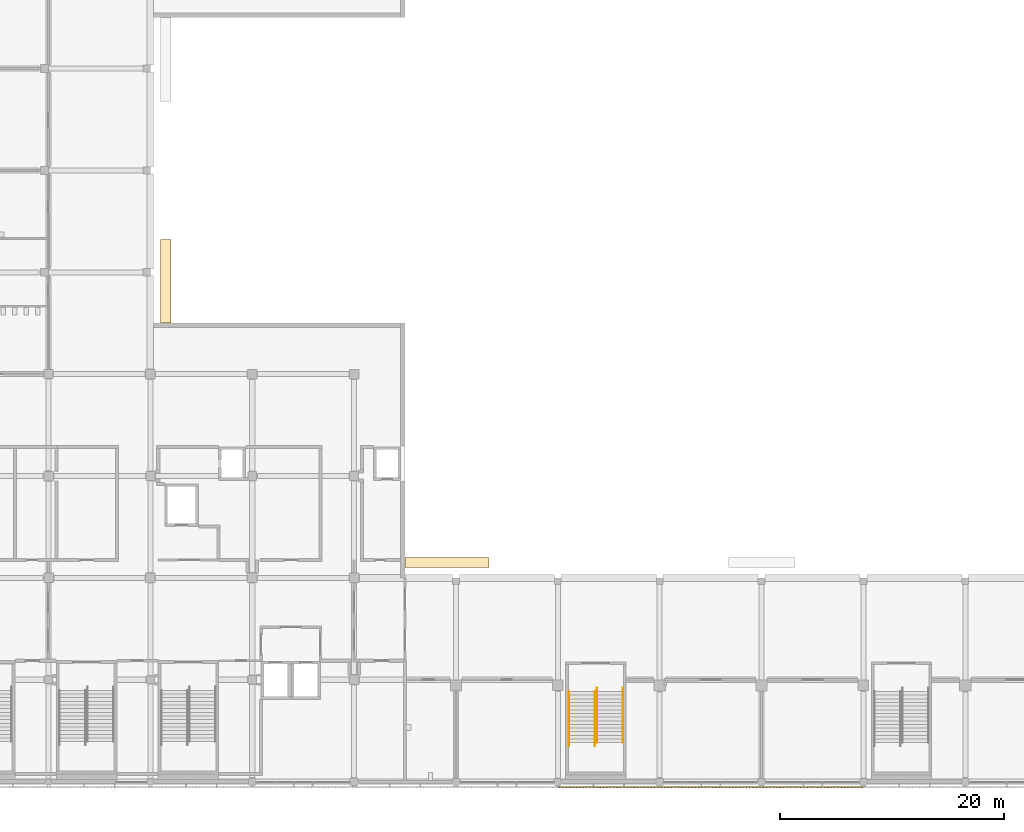
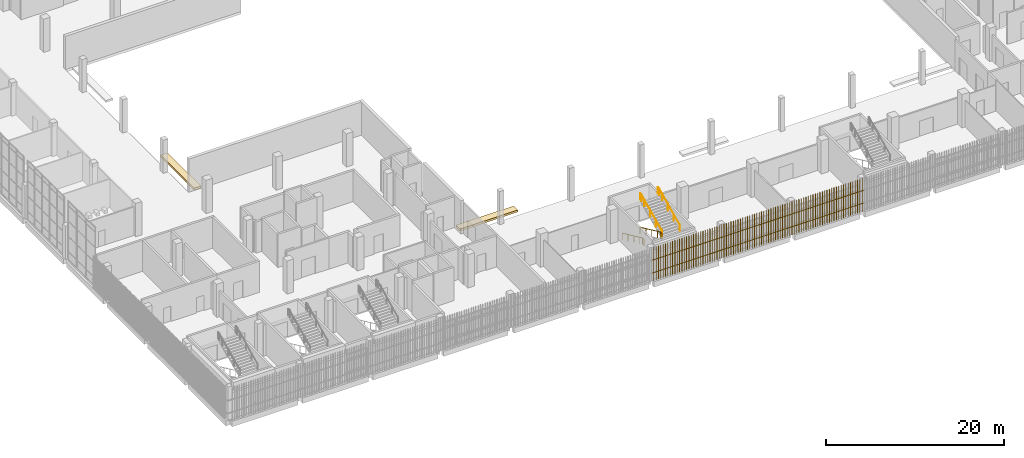
# One storey, part 110 of 126: 4 railings, 3 shading devices, 2 coverings.
"""IFC4 building model written with IfcOpenShell, lengths in metres."""

import ifcopenshell
import ifcopenshell.guid

model = None  # the IFC model being written
_history = None  # IfcOwnerHistory: only IFC2X3 demands one
_inside = {}  # id of a spatial element -> (the spatial element, [elements in it])
_under = {}  # id of a project, library or spatial element -> (it, [spatial elements below it])
_declared = {}  # id of a project -> (the project, [libraries it declares])
_typed = {}  # id of a type object -> (the type object, [elements of that type])
_made_of = {}  # id of a material, layer set ... -> (it, [elements and type objects made of it])


def new_model(schema):
    """Start an empty IFC model of exactly this schema.

    Asked for "IFC4X3", IfcOpenShell would pick the latest addendum, in which some entities
    have other attributes; the version numbers below select the first issue.
    IFC2X3 requires an IfcOwnerHistory on every rooted entity: one is made here for all.
    """
    global model, _history
    if schema == "IFC4X3":
        model = ifcopenshell.file(schema_version=(4, 3, 0, 0))
    else:
        model = ifcopenshell.file(schema=schema)
    _inside.clear()
    _under.clear()
    _declared.clear()
    _typed.clear()
    _made_of.clear()
    _history = None
    if model.schema == "IFC2X3":
        org = make("IfcOrganization", Name="unknown")
        user = make(
            "IfcPersonAndOrganization",
            ThePerson=make("IfcPerson", FamilyName="unknown"),
            TheOrganization=org,
        )
        app = make(
            "IfcApplication",
            ApplicationDeveloper=org,
            Version="unknown",
            ApplicationFullName="unknown",
            ApplicationIdentifier="unknown",
        )
        _history = make(
            "IfcOwnerHistory",
            OwningUser=user,
            OwningApplication=app,
            ChangeAction="ADDED",
            CreationDate=0,
        )
    return model


def make(cls, **values):
    """One entity of the class cls with the attributes given. An attribute that is None is left unset."""
    return model.create_entity(
        cls, **{name: value for name, value in values.items() if value is not None}
    )


def rooted(cls, **values):
    """An entity with a GlobalId (a new one), such as an element, a storey or a relation."""
    return make(cls, GlobalId=ifcopenshell.guid.new(), OwnerHistory=_history, **values)


def si_unit(unit_type, name, prefix=None):
    """IfcSIUnit, for example si_unit("LENGTHUNIT", "METRE", prefix="MILLI")."""
    return make("IfcSIUnit", UnitType=unit_type, Prefix=prefix, Name=name)


def assignment(units):
    """IfcUnitAssignment: the units of a project."""
    return None if units is None else make("IfcUnitAssignment", Units=units)


def point(xyz):
    """IfcCartesianPoint."""
    return None if xyz is None else make("IfcCartesianPoint", Coordinates=xyz)


def direction(xyz):
    """IfcDirection."""
    return None if xyz is None else make("IfcDirection", DirectionRatios=xyz)


def frame(location, z_axis=None, x_axis=None):
    """IfcAxis2Placement3D, a coordinate frame: its origin and axes. An axis left out is left unset."""
    return make(
        "IfcAxis2Placement3D",
        Location=point(location),
        Axis=direction(z_axis),
        RefDirection=direction(x_axis),
    )


def frame_2d(location, x_axis=None):
    """IfcAxis2Placement2D, a coordinate frame in the plane: its origin and x axis."""
    return make(
        "IfcAxis2Placement2D", Location=point(location), RefDirection=direction(x_axis)
    )


def origin():
    """The frame at (0, 0, 0) with its axes left unset."""
    return frame((0.0, 0.0, 0.0))


def origin_2d():
    """The frame at (0, 0) in the plane with its x axis left unset."""
    return frame_2d((0.0, 0.0))


def place(relative_to, where):
    """IfcLocalPlacement: puts the frame where relative to a parent placement (None: the world)."""
    return make(
        "IfcLocalPlacement", PlacementRelTo=relative_to, RelativePlacement=where
    )


def context(
    kind, dimensions, precision=None, world=None, true_north=None, identifier=None
):
    """IfcGeometricRepresentationContext, for example the 3D "Model" context."""
    return make(
        "IfcGeometricRepresentationContext",
        ContextIdentifier=identifier,
        ContextType=kind,
        CoordinateSpaceDimension=dimensions,
        Precision=precision,
        WorldCoordinateSystem=world,
        TrueNorth=true_north,
    )


def subcontext(parent, identifier, kind, view, scale=None):
    """IfcGeometricRepresentationSubContext, for example "Body" below "Model"."""
    return make(
        "IfcGeometricRepresentationSubContext",
        ContextIdentifier=identifier,
        ContextType=kind,
        ParentContext=parent,
        TargetScale=scale,
        TargetView=view,
    )


def project(units=None, contexts=None):
    """IfcProject with its units and contexts."""
    return rooted(
        "IfcProject",
        Name="project",
        RepresentationContexts=contexts,
        UnitsInContext=assignment(units),
    )


def spatial(cls, under=None, at=None, **own):
    """A site, building, storey or space (cls), placed at a placement, below another one or the project."""
    s = rooted(cls, ObjectPlacement=at, **own)
    if under is not None:
        _under.setdefault(under.id(), (under, []))[1].append(s)
    return s


def polyline(points):
    """IfcPolyline through the points."""
    return make("IfcPolyline", Points=[point(p) for p in points])


def profile(cls, at=None, kind="AREA", **sizes):
    """A parametric profile (cls). Its sizes go by their IFC names, for example OverallWidth=200.0."""
    return make(cls, ProfileType=kind, Position=at, **sizes)


def rectangle(**sizes):
    """IfcRectangleProfileDef."""
    return profile("IfcRectangleProfileDef", **sizes)


def circle(**sizes):
    """IfcCircleProfileDef."""
    return profile("IfcCircleProfileDef", **sizes)


def outline(outer, holes=None, kind="AREA"):
    """IfcArbitraryClosedProfileDef: a profile drawn as a closed curve; with holes, ...WithVoids."""
    if holes is None:
        return make("IfcArbitraryClosedProfileDef", ProfileType=kind, OuterCurve=outer)
    return make(
        "IfcArbitraryProfileDefWithVoids",
        ProfileType=kind,
        OuterCurve=outer,
        InnerCurves=holes,
    )


def extrude(swept, where, along, depth):
    """IfcExtrudedAreaSolid: the profile swept, set in the frame where, extruded along a direction by depth."""
    return make(
        "IfcExtrudedAreaSolid",
        SweptArea=swept,
        Position=where,
        ExtrudedDirection=direction(along),
        Depth=depth,
    )


def shape(context_of_items, identifier, shape_type, items):
    """IfcShapeRepresentation: the items that make up one representation, for example the "Body"."""
    return make(
        "IfcShapeRepresentation",
        ContextOfItems=context_of_items,
        RepresentationIdentifier=identifier,
        RepresentationType=shape_type,
        Items=items,
    )


def material(Name=None, Category=None):
    """IfcMaterial."""
    return make("IfcMaterial", Name=Name, Category=Category)


def layer(
    of_material, thickness, ventilated=None, Name=None, Category=None, Priority=None
):
    """IfcMaterialLayer: one layer of a wall or slab, of a material (None: an air gap)."""
    return make(
        "IfcMaterialLayer",
        Material=of_material,
        LayerThickness=thickness,
        IsVentilated=ventilated,
        Name=Name,
        Category=Category,
        Priority=Priority,
    )


def layer_set(layers, Name=None):
    """IfcMaterialLayerSet."""
    return make("IfcMaterialLayerSet", MaterialLayers=layers, LayerSetName=Name)


def made_of(thing, what):
    """Note that an element or type object is made of a material, layer set ...; save() writes the relation."""
    if what is not None:
        _made_of.setdefault(what.id(), (what, []))[1].append(thing)
    return thing


def type_object(cls, material=None, **own):
    """A type object (cls), such as IfcWallType, which elements share."""
    return made_of(rooted(cls, **own), material)


def element(
    cls,
    number,
    at=None,
    inside=None,
    cuts=None,
    type_object=None,
    material=None,
    context=None,
    identifier="Body",
    shape_type=None,
    held_by="IfcProductDefinitionShape",
    body=None,
    shapes=None,
    **own,
):
    """One element of the class cls, such as IfcWall. Its Tag is "e" and its number.

    at: its placement. inside: the storey or other place that contains it. cuts: it is an
    opening in that element (IfcRelVoidsElement). A single representation is given by context,
    identifier, shape_type and body (its items); several are given by shapes. held_by: the class
    of the entity that holds the representations. save() writes the other relations.
    """
    e = rooted(cls, Tag="e%d" % number, ObjectPlacement=at, **own)
    if body is not None:
        shapes = [shape(context, identifier, shape_type, body)]
    if shapes is not None:
        e.Representation = make(held_by, Representations=shapes)
    if inside is not None:
        _inside.setdefault(inside.id(), (inside, []))[1].append(e)
    if cuts is not None:
        rooted(
            "IfcRelVoidsElement", RelatingBuildingElement=cuts, RelatedOpeningElement=e
        )
    if type_object is not None:
        _typed.setdefault(type_object.id(), (type_object, []))[1].append(e)
    return made_of(e, material)


def aggregate(whole, parts):
    """IfcRelAggregates: a whole, such as a stair, and the parts it consists of."""
    return rooted("IfcRelAggregates", RelatingObject=whole, RelatedObjects=parts)


def save(model, path):
    """Write the relations noted so far, then the file.

    IfcRelAggregates (storeys below a building ...), IfcRelContainedInSpatialStructure (elements
    in a storey), IfcRelDefinesByType, IfcRelAssociatesMaterial and IfcRelDeclares: one each for
    every whole, place, type object, material and project.
    """
    for whole, parts in _under.values():
        aggregate(whole, parts)
    for where, things in _inside.values():
        rooted(
            "IfcRelContainedInSpatialStructure",
            RelatedElements=things,
            RelatingStructure=where,
        )
    for kind, things in _typed.values():
        rooted("IfcRelDefinesByType", RelatedObjects=things, RelatingType=kind)
    for what, things in _made_of.values():
        rooted("IfcRelAssociatesMaterial", RelatedObjects=things, RelatingMaterial=what)
    for by, libraries in _declared.values():
        rooted("IfcRelDeclares", RelatingContext=by, RelatedDefinitions=libraries)
    model.write(path)


model = new_model("IFC4")

# Units and contexts
model_context = context("Model", 3, precision=1e-05, world=origin(), true_north=direction((0.0, 1.0)))
body_context = subcontext(model_context, "Body", "Model", "MODEL_VIEW")
ifc_project = project(units=[si_unit("LENGTHUNIT", "METRE"), si_unit("AREAUNIT", "SQUARE_METRE"), si_unit("VOLUMEUNIT", "CUBIC_METRE"), si_unit("PLANEANGLEUNIT", "RADIAN"), si_unit("MASSUNIT", "GRAM", prefix="KILO")], contexts=[model_context])

# Site, building, storey
site_placement = place(None, origin())
site = spatial("IfcSite", under=ifc_project, at=site_placement, CompositionType="ELEMENT")
building_placement = place(site_placement, origin())
building = spatial("IfcBuilding", under=site, at=building_placement, Name="Shirokan Park Arena", CompositionType="ELEMENT")
storey_placement = place(building_placement, frame((0.0, 0.0, 6.3701171875)))
storey = spatial("IfcBuildingStorey", under=building, at=storey_placement, Name="L01", CompositionType="ELEMENT", Elevation=6.3701171875)

# Coverings
ifc_material_1 = material(Name="Concrete screed on the tier", Category="concrete")
ifc_layer = layer(ifc_material_1, 0.280029296875)
ifc_layer_set = layer_set([ifc_layer], Name="Concrete screed on the tier 280 mm")
covering_type = type_object("IfcCoveringType", Name="Platform floor infill 280", PredefinedType="FLOORING", material=ifc_layer_set)
covering_1_placement = place(storey_placement, frame((0.0, 0.0, -0.280029296875)))
element("IfcCovering", 1, at=covering_1_placement, inside=storey, type_object=covering_type, Name="Wheelchair Platform Floor S1 Lower Tier", PredefinedType="FLOORING", context=body_context, shape_type="SweptSolid", body=[
    extrude(outline(polyline([(48.449951171875, 19.110107421875), (48.449951171875, 20.02001953125), (40.949951171875, 20.02001953125), (40.949951171875, 19.110107421875), (48.449951171875, 19.110107421875)])), origin(), (0.0, 0.0, 1.0), 0.280029296875),
])
covering_2_placement = place(storey_placement, frame((0.0, 0.0, -0.280029296875)))
element("IfcCovering", 2, at=covering_2_placement, inside=storey, type_object=covering_type, Name="Wheelchair Platform Floor W1 Lower Tier", PredefinedType="FLOORING", context=body_context, shape_type="SweptSolid", body=[
    extrude(outline(polyline([(20.02001953125, 40.949951171875), (20.02001953125, 48.449951171875), (19.110107421875, 48.449951171875), (19.110107421875, 40.949951171875), (20.02001953125, 40.949951171875)])), origin(), (0.0, 0.0, 1.0), 0.280029296875),
])

# Railings
ifc_material_2 = material(Name="Stainless steel", Category="steel")
railing_type = type_object("IfcRailingType", Name="Stair handrail 900", PredefinedType="HANDRAIL", material=ifc_material_2)
railing_1_placement = place(storey_placement, frame((55.590087890625, 8.050048828125, 0.151611328125)))
element("IfcRailing", 3, at=railing_1_placement, inside=storey, type_object=railing_type, Name="Handrail Entrance Stair E1.1 L01 to L02", PredefinedType="HANDRAIL", context=body_context, shape_type="SweptSolid", body=[
    extrude(circle(Radius=0.02392578125, at=origin_2d()), frame((0.0, 0.0, 0.8759765625), z_axis=(0.0, -0.907029769225, 0.421066500378), x_axis=(1.0, 0.0, 0.0)), (0.0, 0.0, 1.0), 1.44091796875),
    extrude(circle(Radius=0.02392578125, at=origin_2d()), frame((0.0, -1.306884765625, 1.482421875), z_axis=(0.0, -0.907029769225, 0.421066500378), x_axis=(1.0, 0.0, 0.0)), (0.0, 0.0, 1.0), 1.44091796875),
    extrude(circle(Radius=0.02392578125, at=origin_2d()), frame((0.0, -2.61376953125, 2.08935546875), z_axis=(0.0, -0.907064445915, 0.420991794405), x_axis=(1.0, 0.0, 0.0)), (0.0, 0.0, 1.0), 1.4404296875),
    extrude(circle(Radius=0.02392578125, at=origin_2d()), frame((0.0, -3.92041015625, 2.69580078125), z_axis=(0.0, -0.906934982928, 0.421270621741), x_axis=(1.0, 0.0, 0.0)), (0.0, 0.0, 1.0), 0.720458984375),
    extrude(circle(Radius=0.02392578125, at=origin_2d()), frame((0.0, -4.57373046875, 2.9990234375), z_axis=(0.0, -1.0, 0.0), x_axis=(1.0, 0.0, 0.0)), (0.0, 0.0, 1.0), 0.300048828125),
    extrude(circle(Radius=0.02099609375, at=origin_2d()), origin(), (0.0, 0.0, 1.0), 0.851806640625),
    extrude(circle(Radius=0.02099609375, at=origin_2d()), frame((0.0, -1.306884765625, 0.606689453125)), (0.0, 0.0, 1.0), 0.851806640625),
    extrude(circle(Radius=0.02099609375, at=origin_2d()), frame((0.0, -2.61376953125, 1.21337890625)), (0.0, 0.0, 1.0), 0.851806640625),
    extrude(circle(Radius=0.02099609375, at=origin_2d()), frame((0.0, -3.92041015625, 1.81982421875)), (0.0, 0.0, 1.0), 0.851806640625),
    extrude(circle(Radius=0.02099609375, at=origin_2d()), frame((0.0, -4.57373046875, 2.123291015625)), (0.0, 0.0, 1.0), 0.851806640625),
    extrude(circle(Radius=0.02099609375, at=origin_2d()), frame((0.0, -4.873779296875, 2.123291015625)), (0.0, 0.0, 1.0), 0.851806640625),
])
railing_2_placement = place(storey_placement, frame((57.909912109375, 8.050048828125, 0.151611328125)))
element("IfcRailing", 4, at=railing_2_placement, inside=storey, type_object=railing_type, Name="Handrail Entrance Stair E1.1 L01 to L02", PredefinedType="HANDRAIL", context=body_context, shape_type="SweptSolid", body=[
    extrude(circle(Radius=0.02392578125, at=origin_2d()), frame((0.0, 0.0, 0.8759765625), z_axis=(0.0, -0.907029769225, 0.421066500378), x_axis=(1.0, 0.0, 0.0)), (0.0, 0.0, 1.0), 1.44091796875),
    extrude(circle(Radius=0.02392578125, at=origin_2d()), frame((0.0, -1.306884765625, 1.482421875), z_axis=(0.0, -0.907029769225, 0.421066500378), x_axis=(1.0, 0.0, 0.0)), (0.0, 0.0, 1.0), 1.44091796875),
    extrude(circle(Radius=0.02392578125, at=origin_2d()), frame((0.0, -2.61376953125, 2.08935546875), z_axis=(0.0, -0.907064445915, 0.420991794405), x_axis=(1.0, 0.0, 0.0)), (0.0, 0.0, 1.0), 1.4404296875),
    extrude(circle(Radius=0.02392578125, at=origin_2d()), frame((0.0, -3.92041015625, 2.69580078125), z_axis=(0.0, -0.906934982928, 0.421270621741), x_axis=(1.0, 0.0, 0.0)), (0.0, 0.0, 1.0), 0.720458984375),
    extrude(circle(Radius=0.02392578125, at=origin_2d()), frame((0.0, -4.57373046875, 2.9990234375), z_axis=(0.0, -1.0, 0.0), x_axis=(1.0, 0.0, 0.0)), (0.0, 0.0, 1.0), 0.300048828125),
    extrude(circle(Radius=0.02099609375, at=origin_2d()), origin(), (0.0, 0.0, 1.0), 0.851806640625),
    extrude(circle(Radius=0.02099609375, at=origin_2d()), frame((0.0, -1.306884765625, 0.606689453125)), (0.0, 0.0, 1.0), 0.851806640625),
    extrude(circle(Radius=0.02099609375, at=origin_2d()), frame((0.0, -2.61376953125, 1.21337890625)), (0.0, 0.0, 1.0), 0.851806640625),
    extrude(circle(Radius=0.02099609375, at=origin_2d()), frame((0.0, -3.92041015625, 1.81982421875)), (0.0, 0.0, 1.0), 0.851806640625),
    extrude(circle(Radius=0.02099609375, at=origin_2d()), frame((0.0, -4.57373046875, 2.123291015625)), (0.0, 0.0, 1.0), 0.851806640625),
    extrude(circle(Radius=0.02099609375, at=origin_2d()), frame((0.0, -4.873779296875, 2.123291015625)), (0.0, 0.0, 1.0), 0.851806640625),
])
railing_3_placement = place(storey_placement, frame((58.090087890625, 3.476318359375, 2.426513671875)))
element("IfcRailing", 5, at=railing_3_placement, inside=storey, type_object=railing_type, Name="Handrail Entrance Stair E1.1 L01 to L02", PredefinedType="HANDRAIL", context=body_context, shape_type="SweptSolid", body=[
    extrude(circle(Radius=0.02392578125, at=origin_2d()), frame((0.0, 0.0, 0.8759765625), z_axis=(0.0, 0.906999720516, 0.421131222998), x_axis=(-1.0, 0.0, 0.0)), (0.0, 0.0, 1.0), 1.440673828125),
    extrude(circle(Radius=0.02392578125, at=origin_2d()), frame((0.0, 1.306640625, 1.482421875), z_axis=(0.0, 0.907029769225, 0.421066500378), x_axis=(-1.0, 0.0, 0.0)), (0.0, 0.0, 1.0), 1.44091796875),
    extrude(circle(Radius=0.02392578125, at=origin_2d()), frame((0.0, 2.613525390625, 2.08935546875), z_axis=(0.0, 0.906999720516, 0.421131222998), x_axis=(-1.0, 0.0, 0.0)), (0.0, 0.0, 1.0), 1.440673828125),
    extrude(circle(Radius=0.02392578125, at=origin_2d()), frame((0.0, 3.920166015625, 2.69580078125), z_axis=(0.0, 0.907124493983, 0.420862391306), x_axis=(-1.0, 0.0, 0.0)), (0.0, 0.0, 1.0), 0.720458984375),
    extrude(circle(Radius=0.02392578125, at=origin_2d()), frame((0.0, 4.57373046875, 2.9990234375), z_axis=(0.0, 1.0, 0.0), x_axis=(-1.0, 0.0, 0.0)), (0.0, 0.0, 1.0), 0.300048828125),
    extrude(circle(Radius=0.02099609375, at=origin_2d()), origin(), (0.0, 0.0, 1.0), 0.851806640625),
    extrude(circle(Radius=0.02099609375, at=origin_2d()), frame((0.0, 1.306640625, 0.606689453125)), (0.0, 0.0, 1.0), 0.851806640625),
    extrude(circle(Radius=0.02099609375, at=origin_2d()), frame((0.0, 2.613525390625, 1.21337890625)), (0.0, 0.0, 1.0), 0.851806640625),
    extrude(circle(Radius=0.02099609375, at=origin_2d()), frame((0.0, 3.920166015625, 1.820068359375)), (0.0, 0.0, 1.0), 0.851806640625),
    extrude(circle(Radius=0.02099609375, at=origin_2d()), frame((0.0, 4.57373046875, 2.123291015625)), (0.0, 0.0, 1.0), 0.851806640625),
    extrude(circle(Radius=0.02099609375, at=origin_2d()), frame((0.0, 4.873779296875, 2.123291015625)), (0.0, 0.0, 1.0), 0.851806640625),
])
railing_4_placement = place(storey_placement, frame((60.409912109375, 3.476318359375, 2.426513671875)))
element("IfcRailing", 6, at=railing_4_placement, inside=storey, type_object=railing_type, Name="Handrail Entrance Stair E1.1 L01 to L02", PredefinedType="HANDRAIL", context=body_context, shape_type="SweptSolid", body=[
    extrude(circle(Radius=0.02392578125, at=origin_2d()), frame((0.0, 0.0, 0.8759765625), z_axis=(0.0, 0.906999720516, 0.421131222998), x_axis=(-1.0, 0.0, 0.0)), (0.0, 0.0, 1.0), 1.440673828125),
    extrude(circle(Radius=0.02392578125, at=origin_2d()), frame((0.0, 1.306640625, 1.482421875), z_axis=(0.0, 0.907029769225, 0.421066500378), x_axis=(-1.0, 0.0, 0.0)), (0.0, 0.0, 1.0), 1.44091796875),
    extrude(circle(Radius=0.02392578125, at=origin_2d()), frame((0.0, 2.613525390625, 2.08935546875), z_axis=(0.0, 0.906999720516, 0.421131222998), x_axis=(-1.0, 0.0, 0.0)), (0.0, 0.0, 1.0), 1.440673828125),
    extrude(circle(Radius=0.02392578125, at=origin_2d()), frame((0.0, 3.920166015625, 2.69580078125), z_axis=(0.0, 0.907124493983, 0.420862391306), x_axis=(-1.0, 0.0, 0.0)), (0.0, 0.0, 1.0), 0.720458984375),
    extrude(circle(Radius=0.02392578125, at=origin_2d()), frame((0.0, 4.57373046875, 2.9990234375), z_axis=(0.0, 1.0, 0.0), x_axis=(-1.0, 0.0, 0.0)), (0.0, 0.0, 1.0), 0.300048828125),
    extrude(circle(Radius=0.02099609375, at=origin_2d()), origin(), (0.0, 0.0, 1.0), 0.851806640625),
    extrude(circle(Radius=0.02099609375, at=origin_2d()), frame((0.0, 1.306640625, 0.606689453125)), (0.0, 0.0, 1.0), 0.851806640625),
    extrude(circle(Radius=0.02099609375, at=origin_2d()), frame((0.0, 2.613525390625, 1.21337890625)), (0.0, 0.0, 1.0), 0.851806640625),
    extrude(circle(Radius=0.02099609375, at=origin_2d()), frame((0.0, 3.920166015625, 1.820068359375)), (0.0, 0.0, 1.0), 0.851806640625),
    extrude(circle(Radius=0.02099609375, at=origin_2d()), frame((0.0, 4.57373046875, 2.123291015625)), (0.0, 0.0, 1.0), 0.851806640625),
    extrude(circle(Radius=0.02099609375, at=origin_2d()), frame((0.0, 4.873779296875, 2.123291015625)), (0.0, 0.0, 1.0), 0.851806640625),
])

# Shading devices
ifc_material_3 = material(Name="Timber louvre veil (cedar)", Category="wood")
shading_device_type = type_object("IfcShadingDeviceType", Name="Timber louvre veil panel", PredefinedType="JALOUSIE", material=ifc_material_3)
shading_device_1_placement = place(storey_placement, origin())
element("IfcShadingDevice", 7, at=shading_device_1_placement, inside=storey, type_object=shading_device_type, Name="Timber louvre veil south bay 7 L01", PredefinedType="JALOUSIE", context=body_context, shape_type="SweptSolid", body=[
    extrude(rectangle(XDim=0.050048828125, YDim=0.080078125, at=origin_2d()), frame((54.751708984375, -0.485107421875, 0.0), z_axis=(0.0, 0.0, 1.0), x_axis=(1.0, 0.0, 0.0)), (0.0, 0.0, 1.0), 4.550048828125),
    extrude(rectangle(XDim=0.050048828125, YDim=0.080078125, at=origin_2d()), frame((55.054931640625, -0.485107421875, 0.0), z_axis=(0.0, 0.0, 1.0), x_axis=(1.0, 0.0, 0.0)), (0.0, 0.0, 1.0), 4.550048828125),
    extrude(rectangle(XDim=0.050048828125, YDim=0.080078125, at=origin_2d()), frame((55.3583984375, -0.485107421875, 0.0), z_axis=(0.0, 0.0, 1.0), x_axis=(1.0, 0.0, 0.0)), (0.0, 0.0, 1.0), 4.550048828125),
    extrude(rectangle(XDim=0.050048828125, YDim=0.080078125, at=origin_2d()), frame((55.66162109375, -0.485107421875, 0.0), z_axis=(0.0, 0.0, 1.0), x_axis=(1.0, 0.0, 0.0)), (0.0, 0.0, 1.0), 4.550048828125),
    extrude(rectangle(XDim=0.050048828125, YDim=0.080078125, at=origin_2d()), frame((55.965087890625, -0.485107421875, 0.0), z_axis=(0.0, 0.0, 1.0), x_axis=(1.0, 0.0, 0.0)), (0.0, 0.0, 1.0), 4.550048828125),
    extrude(rectangle(XDim=0.050048828125, YDim=0.080078125, at=origin_2d()), frame((56.268310546875, -0.485107421875, 0.0), z_axis=(0.0, 0.0, 1.0), x_axis=(1.0, 0.0, 0.0)), (0.0, 0.0, 1.0), 4.550048828125),
    extrude(rectangle(XDim=0.050048828125, YDim=0.080078125, at=origin_2d()), frame((56.57177734375, -0.485107421875, 0.0), z_axis=(0.0, 0.0, 1.0), x_axis=(1.0, 0.0, 0.0)), (0.0, 0.0, 1.0), 4.550048828125),
    extrude(rectangle(XDim=0.050048828125, YDim=0.080078125, at=origin_2d()), frame((56.875, -0.485107421875, 0.0), z_axis=(0.0, 0.0, 1.0), x_axis=(1.0, 0.0, 0.0)), (0.0, 0.0, 1.0), 4.550048828125),
    extrude(rectangle(XDim=0.050048828125, YDim=0.080078125, at=origin_2d()), frame((57.17822265625, -0.485107421875, 0.0), z_axis=(0.0, 0.0, 1.0), x_axis=(1.0, 0.0, 0.0)), (0.0, 0.0, 1.0), 4.550048828125),
    extrude(rectangle(XDim=0.050048828125, YDim=0.080078125, at=origin_2d()), frame((57.481689453125, -0.485107421875, 0.0), z_axis=(0.0, 0.0, 1.0), x_axis=(1.0, 0.0, 0.0)), (0.0, 0.0, 1.0), 4.550048828125),
    extrude(rectangle(XDim=0.050048828125, YDim=0.080078125, at=origin_2d()), frame((57.784912109375, -0.485107421875, 0.0), z_axis=(0.0, 0.0, 1.0), x_axis=(1.0, 0.0, 0.0)), (0.0, 0.0, 1.0), 4.550048828125),
    extrude(rectangle(XDim=0.050048828125, YDim=0.080078125, at=origin_2d()), frame((58.08837890625, -0.485107421875, 0.0), z_axis=(0.0, 0.0, 1.0), x_axis=(1.0, 0.0, 0.0)), (0.0, 0.0, 1.0), 4.550048828125),
    extrude(rectangle(XDim=0.050048828125, YDim=0.080078125, at=origin_2d()), frame((58.3916015625, -0.485107421875, 0.0), z_axis=(0.0, 0.0, 1.0), x_axis=(1.0, 0.0, 0.0)), (0.0, 0.0, 1.0), 4.550048828125),
    extrude(rectangle(XDim=0.050048828125, YDim=0.080078125, at=origin_2d()), frame((58.695068359375, -0.485107421875, 0.0), z_axis=(0.0, 0.0, 1.0), x_axis=(1.0, 0.0, 0.0)), (0.0, 0.0, 1.0), 4.550048828125),
    extrude(rectangle(XDim=0.050048828125, YDim=0.080078125, at=origin_2d()), frame((58.998291015625, -0.485107421875, 0.0), z_axis=(0.0, 0.0, 1.0), x_axis=(1.0, 0.0, 0.0)), (0.0, 0.0, 1.0), 4.550048828125),
    extrude(rectangle(XDim=0.050048828125, YDim=0.080078125, at=origin_2d()), frame((59.3017578125, -0.485107421875, 0.0), z_axis=(0.0, 0.0, 1.0), x_axis=(1.0, 0.0, 0.0)), (0.0, 0.0, 1.0), 4.550048828125),
    extrude(rectangle(XDim=0.050048828125, YDim=0.080078125, at=origin_2d()), frame((59.60498046875, -0.485107421875, 0.0), z_axis=(0.0, 0.0, 1.0), x_axis=(1.0, 0.0, 0.0)), (0.0, 0.0, 1.0), 4.550048828125),
    extrude(rectangle(XDim=0.050048828125, YDim=0.080078125, at=origin_2d()), frame((59.908447265625, -0.485107421875, 0.0), z_axis=(0.0, 0.0, 1.0), x_axis=(1.0, 0.0, 0.0)), (0.0, 0.0, 1.0), 4.550048828125),
    extrude(rectangle(XDim=0.050048828125, YDim=0.080078125, at=origin_2d()), frame((60.211669921875, -0.485107421875, 0.0), z_axis=(0.0, 0.0, 1.0), x_axis=(1.0, 0.0, 0.0)), (0.0, 0.0, 1.0), 4.550048828125),
    extrude(rectangle(XDim=0.050048828125, YDim=0.080078125, at=origin_2d()), frame((60.514892578125, -0.485107421875, 0.0), z_axis=(0.0, 0.0, 1.0), x_axis=(1.0, 0.0, 0.0)), (0.0, 0.0, 1.0), 4.550048828125),
    extrude(rectangle(XDim=0.050048828125, YDim=0.080078125, at=origin_2d()), frame((60.818359375, -0.485107421875, 0.0), z_axis=(0.0, 0.0, 1.0), x_axis=(1.0, 0.0, 0.0)), (0.0, 0.0, 1.0), 4.550048828125),
    extrude(rectangle(XDim=0.050048828125, YDim=0.080078125, at=origin_2d()), frame((61.12158203125, -0.485107421875, 0.0), z_axis=(0.0, 0.0, 1.0), x_axis=(1.0, 0.0, 0.0)), (0.0, 0.0, 1.0), 4.550048828125),
    extrude(rectangle(XDim=0.050048828125, YDim=0.080078125, at=origin_2d()), frame((61.425048828125, -0.485107421875, 0.0), z_axis=(0.0, 0.0, 1.0), x_axis=(1.0, 0.0, 0.0)), (0.0, 0.0, 1.0), 4.550048828125),
    extrude(rectangle(XDim=0.050048828125, YDim=0.080078125, at=origin_2d()), frame((61.728271484375, -0.485107421875, 0.0), z_axis=(0.0, 0.0, 1.0), x_axis=(1.0, 0.0, 0.0)), (0.0, 0.0, 1.0), 4.550048828125),
    extrude(rectangle(XDim=0.050048828125, YDim=0.080078125, at=origin_2d()), frame((62.03173828125, -0.485107421875, 0.0), z_axis=(0.0, 0.0, 1.0), x_axis=(1.0, 0.0, 0.0)), (0.0, 0.0, 1.0), 4.550048828125),
    extrude(rectangle(XDim=0.050048828125, YDim=0.080078125, at=origin_2d()), frame((62.3349609375, -0.485107421875, 0.0), z_axis=(0.0, 0.0, 1.0), x_axis=(1.0, 0.0, 0.0)), (0.0, 0.0, 1.0), 4.550048828125),
    extrude(rectangle(XDim=0.050048828125, YDim=0.080078125, at=origin_2d()), frame((62.638427734375, -0.485107421875, 0.0), z_axis=(0.0, 0.0, 1.0), x_axis=(1.0, 0.0, 0.0)), (0.0, 0.0, 1.0), 4.550048828125),
    extrude(rectangle(XDim=0.050048828125, YDim=0.080078125, at=origin_2d()), frame((62.941650390625, -0.485107421875, 0.0), z_axis=(0.0, 0.0, 1.0), x_axis=(1.0, 0.0, 0.0)), (0.0, 0.0, 1.0), 4.550048828125),
    extrude(rectangle(XDim=0.050048828125, YDim=0.080078125, at=origin_2d()), frame((63.2451171875, -0.485107421875, 0.0), z_axis=(0.0, 0.0, 1.0), x_axis=(1.0, 0.0, 0.0)), (0.0, 0.0, 1.0), 4.550048828125),
    extrude(rectangle(XDim=0.050048828125, YDim=0.080078125, at=origin_2d()), frame((63.54833984375, -0.485107421875, 0.0), z_axis=(0.0, 0.0, 1.0), x_axis=(1.0, 0.0, 0.0)), (0.0, 0.0, 1.0), 4.550048828125),
    extrude(rectangle(XDim=9.10009765625, YDim=0.050048828125, at=origin_2d()), frame((59.14990234375, -0.469970703125, 1.059814453125), z_axis=(0.0, 0.0, 1.0), x_axis=(1.0, 0.0, 0.0)), (0.0, 0.0, 1.0), 0.080078125),
    extrude(rectangle(XDim=9.10009765625, YDim=0.050048828125, at=origin_2d()), frame((59.14990234375, -0.469970703125, 2.809814453125), z_axis=(0.0, 0.0, 1.0), x_axis=(1.0, 0.0, 0.0)), (0.0, 0.0, 1.0), 0.080078125),
])
shading_device_2_placement = place(storey_placement, origin())
element("IfcShadingDevice", 8, at=shading_device_2_placement, inside=storey, type_object=shading_device_type, Name="Timber louvre veil south bay 8 L01", PredefinedType="JALOUSIE", context=body_context, shape_type="SweptSolid", body=[
    extrude(rectangle(XDim=0.050048828125, YDim=0.080078125, at=origin_2d()), frame((63.8515625, -0.485107421875, 0.0), z_axis=(0.0, 0.0, 1.0), x_axis=(1.0, 0.0, 0.0)), (0.0, 0.0, 1.0), 4.550048828125),
    extrude(rectangle(XDim=0.050048828125, YDim=0.080078125, at=origin_2d()), frame((64.155029296875, -0.485107421875, 0.0), z_axis=(0.0, 0.0, 1.0), x_axis=(1.0, 0.0, 0.0)), (0.0, 0.0, 1.0), 4.550048828125),
    extrude(rectangle(XDim=0.050048828125, YDim=0.080078125, at=origin_2d()), frame((64.458251953125, -0.485107421875, 0.0), z_axis=(0.0, 0.0, 1.0), x_axis=(1.0, 0.0, 0.0)), (0.0, 0.0, 1.0), 4.550048828125),
    extrude(rectangle(XDim=0.050048828125, YDim=0.080078125, at=origin_2d()), frame((64.76171875, -0.485107421875, 0.0), z_axis=(0.0, 0.0, 1.0), x_axis=(1.0, 0.0, 0.0)), (0.0, 0.0, 1.0), 4.550048828125),
    extrude(rectangle(XDim=0.050048828125, YDim=0.080078125, at=origin_2d()), frame((65.06494140625, -0.485107421875, 0.0), z_axis=(0.0, 0.0, 1.0), x_axis=(1.0, 0.0, 0.0)), (0.0, 0.0, 1.0), 4.550048828125),
    extrude(rectangle(XDim=0.050048828125, YDim=0.080078125, at=origin_2d()), frame((65.368408203125, -0.485107421875, 0.0), z_axis=(0.0, 0.0, 1.0), x_axis=(1.0, 0.0, 0.0)), (0.0, 0.0, 1.0), 4.550048828125),
    extrude(rectangle(XDim=0.050048828125, YDim=0.080078125, at=origin_2d()), frame((65.671630859375, -0.485107421875, 0.0), z_axis=(0.0, 0.0, 1.0), x_axis=(1.0, 0.0, 0.0)), (0.0, 0.0, 1.0), 4.550048828125),
    extrude(rectangle(XDim=0.050048828125, YDim=0.080078125, at=origin_2d()), frame((65.97509765625, -0.485107421875, 0.0), z_axis=(0.0, 0.0, 1.0), x_axis=(1.0, 0.0, 0.0)), (0.0, 0.0, 1.0), 4.550048828125),
    extrude(rectangle(XDim=0.050048828125, YDim=0.080078125, at=origin_2d()), frame((66.2783203125, -0.485107421875, 0.0), z_axis=(0.0, 0.0, 1.0), x_axis=(1.0, 0.0, 0.0)), (0.0, 0.0, 1.0), 4.550048828125),
    extrude(rectangle(XDim=0.050048828125, YDim=0.080078125, at=origin_2d()), frame((66.581787109375, -0.485107421875, 0.0), z_axis=(0.0, 0.0, 1.0), x_axis=(1.0, 0.0, 0.0)), (0.0, 0.0, 1.0), 4.550048828125),
    extrude(rectangle(XDim=0.050048828125, YDim=0.080078125, at=origin_2d()), frame((66.885009765625, -0.485107421875, 0.0), z_axis=(0.0, 0.0, 1.0), x_axis=(1.0, 0.0, 0.0)), (0.0, 0.0, 1.0), 4.550048828125),
    extrude(rectangle(XDim=0.050048828125, YDim=0.080078125, at=origin_2d()), frame((67.188232421875, -0.485107421875, 0.0), z_axis=(0.0, 0.0, 1.0), x_axis=(1.0, 0.0, 0.0)), (0.0, 0.0, 1.0), 4.550048828125),
    extrude(rectangle(XDim=0.050048828125, YDim=0.080078125, at=origin_2d()), frame((67.49169921875, -0.485107421875, 0.0), z_axis=(0.0, 0.0, 1.0), x_axis=(1.0, 0.0, 0.0)), (0.0, 0.0, 1.0), 4.550048828125),
    extrude(rectangle(XDim=0.050048828125, YDim=0.080078125, at=origin_2d()), frame((67.794921875, -0.485107421875, 0.0), z_axis=(0.0, 0.0, 1.0), x_axis=(1.0, 0.0, 0.0)), (0.0, 0.0, 1.0), 4.550048828125),
    extrude(rectangle(XDim=0.050048828125, YDim=0.080078125, at=origin_2d()), frame((68.098388671875, -0.485107421875, 0.0), z_axis=(0.0, 0.0, 1.0), x_axis=(1.0, 0.0, 0.0)), (0.0, 0.0, 1.0), 4.550048828125),
    extrude(rectangle(XDim=0.050048828125, YDim=0.080078125, at=origin_2d()), frame((68.401611328125, -0.485107421875, 0.0), z_axis=(0.0, 0.0, 1.0), x_axis=(1.0, 0.0, 0.0)), (0.0, 0.0, 1.0), 4.550048828125),
    extrude(rectangle(XDim=0.050048828125, YDim=0.080078125, at=origin_2d()), frame((68.705078125, -0.485107421875, 0.0), z_axis=(0.0, 0.0, 1.0), x_axis=(1.0, 0.0, 0.0)), (0.0, 0.0, 1.0), 4.550048828125),
    extrude(rectangle(XDim=0.050048828125, YDim=0.080078125, at=origin_2d()), frame((69.00830078125, -0.485107421875, 0.0), z_axis=(0.0, 0.0, 1.0), x_axis=(1.0, 0.0, 0.0)), (0.0, 0.0, 1.0), 4.550048828125),
    extrude(rectangle(XDim=0.050048828125, YDim=0.080078125, at=origin_2d()), frame((69.311767578125, -0.485107421875, 0.0), z_axis=(0.0, 0.0, 1.0), x_axis=(1.0, 0.0, 0.0)), (0.0, 0.0, 1.0), 4.550048828125),
    extrude(rectangle(XDim=0.050048828125, YDim=0.080078125, at=origin_2d()), frame((69.614990234375, -0.485107421875, 0.0), z_axis=(0.0, 0.0, 1.0), x_axis=(1.0, 0.0, 0.0)), (0.0, 0.0, 1.0), 4.550048828125),
    extrude(rectangle(XDim=0.050048828125, YDim=0.080078125, at=origin_2d()), frame((69.918212890625, -0.485107421875, 0.0), z_axis=(0.0, 0.0, 1.0), x_axis=(1.0, 0.0, 0.0)), (0.0, 0.0, 1.0), 4.550048828125),
    extrude(rectangle(XDim=0.050048828125, YDim=0.080078125, at=origin_2d()), frame((70.2216796875, -0.485107421875, 0.0), z_axis=(0.0, 0.0, 1.0), x_axis=(1.0, 0.0, 0.0)), (0.0, 0.0, 1.0), 4.550048828125),
    extrude(rectangle(XDim=0.050048828125, YDim=0.080078125, at=origin_2d()), frame((70.52490234375, -0.485107421875, 0.0), z_axis=(0.0, 0.0, 1.0), x_axis=(1.0, 0.0, 0.0)), (0.0, 0.0, 1.0), 4.550048828125),
    extrude(rectangle(XDim=0.050048828125, YDim=0.080078125, at=origin_2d()), frame((70.828369140625, -0.485107421875, 0.0), z_axis=(0.0, 0.0, 1.0), x_axis=(1.0, 0.0, 0.0)), (0.0, 0.0, 1.0), 4.550048828125),
    extrude(rectangle(XDim=0.050048828125, YDim=0.080078125, at=origin_2d()), frame((71.131591796875, -0.485107421875, 0.0), z_axis=(0.0, 0.0, 1.0), x_axis=(1.0, 0.0, 0.0)), (0.0, 0.0, 1.0), 4.550048828125),
    extrude(rectangle(XDim=0.050048828125, YDim=0.080078125, at=origin_2d()), frame((71.43505859375, -0.485107421875, 0.0), z_axis=(0.0, 0.0, 1.0), x_axis=(1.0, 0.0, 0.0)), (0.0, 0.0, 1.0), 4.550048828125),
    extrude(rectangle(XDim=0.050048828125, YDim=0.080078125, at=origin_2d()), frame((71.73828125, -0.485107421875, 0.0), z_axis=(0.0, 0.0, 1.0), x_axis=(1.0, 0.0, 0.0)), (0.0, 0.0, 1.0), 4.550048828125),
    extrude(rectangle(XDim=0.050048828125, YDim=0.080078125, at=origin_2d()), frame((72.041748046875, -0.485107421875, 0.0), z_axis=(0.0, 0.0, 1.0), x_axis=(1.0, 0.0, 0.0)), (0.0, 0.0, 1.0), 4.550048828125),
    extrude(rectangle(XDim=0.050048828125, YDim=0.080078125, at=origin_2d()), frame((72.344970703125, -0.485107421875, 0.0), z_axis=(0.0, 0.0, 1.0), x_axis=(1.0, 0.0, 0.0)), (0.0, 0.0, 1.0), 4.550048828125),
    extrude(rectangle(XDim=0.050048828125, YDim=0.080078125, at=origin_2d()), frame((72.6484375, -0.485107421875, 0.0), z_axis=(0.0, 0.0, 1.0), x_axis=(1.0, 0.0, 0.0)), (0.0, 0.0, 1.0), 4.550048828125),
    extrude(rectangle(XDim=9.10009765625, YDim=0.050048828125, at=origin_2d()), frame((68.25, -0.469970703125, 1.059814453125), z_axis=(0.0, 0.0, 1.0), x_axis=(1.0, 0.0, 0.0)), (0.0, 0.0, 1.0), 0.080078125),
    extrude(rectangle(XDim=9.10009765625, YDim=0.050048828125, at=origin_2d()), frame((68.25, -0.469970703125, 2.809814453125), z_axis=(0.0, 0.0, 1.0), x_axis=(1.0, 0.0, 0.0)), (0.0, 0.0, 1.0), 0.080078125),
])
shading_device_3_placement = place(storey_placement, origin())
element("IfcShadingDevice", 9, at=shading_device_3_placement, inside=storey, type_object=shading_device_type, Name="Timber louvre veil south bay 9 L01", PredefinedType="JALOUSIE", context=body_context, shape_type="SweptSolid", body=[
    extrude(rectangle(XDim=0.050048828125, YDim=0.080078125, at=origin_2d()), frame((72.95166015625, -0.485107421875, 0.0), z_axis=(0.0, 0.0, 1.0), x_axis=(1.0, 0.0, 0.0)), (0.0, 0.0, 1.0), 4.550048828125),
    extrude(rectangle(XDim=0.050048828125, YDim=0.080078125, at=origin_2d()), frame((73.2548828125, -0.485107421875, 0.0), z_axis=(0.0, 0.0, 1.0), x_axis=(1.0, 0.0, 0.0)), (0.0, 0.0, 1.0), 4.550048828125),
    extrude(rectangle(XDim=0.050048828125, YDim=0.080078125, at=origin_2d()), frame((73.558349609375, -0.485107421875, 0.0), z_axis=(0.0, 0.0, 1.0), x_axis=(1.0, 0.0, 0.0)), (0.0, 0.0, 1.0), 4.550048828125),
    extrude(rectangle(XDim=0.050048828125, YDim=0.080078125, at=origin_2d()), frame((73.861572265625, -0.485107421875, 0.0), z_axis=(0.0, 0.0, 1.0), x_axis=(1.0, 0.0, 0.0)), (0.0, 0.0, 1.0), 4.550048828125),
    extrude(rectangle(XDim=0.050048828125, YDim=0.080078125, at=origin_2d()), frame((74.1650390625, -0.485107421875, 0.0), z_axis=(0.0, 0.0, 1.0), x_axis=(1.0, 0.0, 0.0)), (0.0, 0.0, 1.0), 4.550048828125),
    extrude(rectangle(XDim=0.050048828125, YDim=0.080078125, at=origin_2d()), frame((74.46826171875, -0.485107421875, 0.0), z_axis=(0.0, 0.0, 1.0), x_axis=(1.0, 0.0, 0.0)), (0.0, 0.0, 1.0), 4.550048828125),
    extrude(rectangle(XDim=0.050048828125, YDim=0.080078125, at=origin_2d()), frame((74.771728515625, -0.485107421875, 0.0), z_axis=(0.0, 0.0, 1.0), x_axis=(1.0, 0.0, 0.0)), (0.0, 0.0, 1.0), 4.550048828125),
    extrude(rectangle(XDim=0.050048828125, YDim=0.080078125, at=origin_2d()), frame((75.074951171875, -0.485107421875, 0.0), z_axis=(0.0, 0.0, 1.0), x_axis=(1.0, 0.0, 0.0)), (0.0, 0.0, 1.0), 4.550048828125),
    extrude(rectangle(XDim=0.050048828125, YDim=0.080078125, at=origin_2d()), frame((75.37841796875, -0.485107421875, 0.0), z_axis=(0.0, 0.0, 1.0), x_axis=(1.0, 0.0, 0.0)), (0.0, 0.0, 1.0), 4.550048828125),
    extrude(rectangle(XDim=0.050048828125, YDim=0.080078125, at=origin_2d()), frame((75.681640625, -0.485107421875, 0.0), z_axis=(0.0, 0.0, 1.0), x_axis=(1.0, 0.0, 0.0)), (0.0, 0.0, 1.0), 4.550048828125),
    extrude(rectangle(XDim=0.050048828125, YDim=0.080078125, at=origin_2d()), frame((75.985107421875, -0.485107421875, 0.0), z_axis=(0.0, 0.0, 1.0), x_axis=(1.0, 0.0, 0.0)), (0.0, 0.0, 1.0), 4.550048828125),
    extrude(rectangle(XDim=0.050048828125, YDim=0.080078125, at=origin_2d()), frame((76.288330078125, -0.485107421875, 0.0), z_axis=(0.0, 0.0, 1.0), x_axis=(1.0, 0.0, 0.0)), (0.0, 0.0, 1.0), 4.550048828125),
    extrude(rectangle(XDim=0.050048828125, YDim=0.080078125, at=origin_2d()), frame((76.591552734375, -0.485107421875, 0.0), z_axis=(0.0, 0.0, 1.0), x_axis=(1.0, 0.0, 0.0)), (0.0, 0.0, 1.0), 4.550048828125),
    extrude(rectangle(XDim=0.050048828125, YDim=0.080078125, at=origin_2d()), frame((76.89501953125, -0.485107421875, 0.0), z_axis=(0.0, 0.0, 1.0), x_axis=(1.0, 0.0, 0.0)), (0.0, 0.0, 1.0), 4.550048828125),
    extrude(rectangle(XDim=0.050048828125, YDim=0.080078125, at=origin_2d()), frame((77.1982421875, -0.485107421875, 0.0), z_axis=(0.0, 0.0, 1.0), x_axis=(1.0, 0.0, 0.0)), (0.0, 0.0, 1.0), 4.550048828125),
    extrude(rectangle(XDim=0.050048828125, YDim=0.080078125, at=origin_2d()), frame((77.501708984375, -0.485107421875, 0.0), z_axis=(0.0, 0.0, 1.0), x_axis=(1.0, 0.0, 0.0)), (0.0, 0.0, 1.0), 4.550048828125),
    extrude(rectangle(XDim=0.050048828125, YDim=0.080078125, at=origin_2d()), frame((77.804931640625, -0.485107421875, 0.0), z_axis=(0.0, 0.0, 1.0), x_axis=(1.0, 0.0, 0.0)), (0.0, 0.0, 1.0), 4.550048828125),
    extrude(rectangle(XDim=0.050048828125, YDim=0.080078125, at=origin_2d()), frame((78.1083984375, -0.485107421875, 0.0), z_axis=(0.0, 0.0, 1.0), x_axis=(1.0, 0.0, 0.0)), (0.0, 0.0, 1.0), 4.550048828125),
    extrude(rectangle(XDim=0.050048828125, YDim=0.080078125, at=origin_2d()), frame((78.41162109375, -0.485107421875, 0.0), z_axis=(0.0, 0.0, 1.0), x_axis=(1.0, 0.0, 0.0)), (0.0, 0.0, 1.0), 4.550048828125),
    extrude(rectangle(XDim=0.050048828125, YDim=0.080078125, at=origin_2d()), frame((78.715087890625, -0.485107421875, 0.0), z_axis=(0.0, 0.0, 1.0), x_axis=(1.0, 0.0, 0.0)), (0.0, 0.0, 1.0), 4.550048828125),
    extrude(rectangle(XDim=0.050048828125, YDim=0.080078125, at=origin_2d()), frame((79.018310546875, -0.485107421875, 0.0), z_axis=(0.0, 0.0, 1.0), x_axis=(1.0, 0.0, 0.0)), (0.0, 0.0, 1.0), 4.550048828125),
    extrude(rectangle(XDim=0.050048828125, YDim=0.080078125, at=origin_2d()), frame((79.32177734375, -0.485107421875, 0.0), z_axis=(0.0, 0.0, 1.0), x_axis=(1.0, 0.0, 0.0)), (0.0, 0.0, 1.0), 4.550048828125),
    extrude(rectangle(XDim=0.050048828125, YDim=0.080078125, at=origin_2d()), frame((79.625, -0.485107421875, 0.0), z_axis=(0.0, 0.0, 1.0), x_axis=(1.0, 0.0, 0.0)), (0.0, 0.0, 1.0), 4.550048828125),
    extrude(rectangle(XDim=0.050048828125, YDim=0.080078125, at=origin_2d()), frame((79.92822265625, -0.485107421875, 0.0), z_axis=(0.0, 0.0, 1.0), x_axis=(1.0, 0.0, 0.0)), (0.0, 0.0, 1.0), 4.550048828125),
    extrude(rectangle(XDim=0.050048828125, YDim=0.080078125, at=origin_2d()), frame((80.231689453125, -0.485107421875, 0.0), z_axis=(0.0, 0.0, 1.0), x_axis=(1.0, 0.0, 0.0)), (0.0, 0.0, 1.0), 4.550048828125),
    extrude(rectangle(XDim=0.050048828125, YDim=0.080078125, at=origin_2d()), frame((80.534912109375, -0.485107421875, 0.0), z_axis=(0.0, 0.0, 1.0), x_axis=(1.0, 0.0, 0.0)), (0.0, 0.0, 1.0), 4.550048828125),
    extrude(rectangle(XDim=0.050048828125, YDim=0.080078125, at=origin_2d()), frame((80.83837890625, -0.485107421875, 0.0), z_axis=(0.0, 0.0, 1.0), x_axis=(1.0, 0.0, 0.0)), (0.0, 0.0, 1.0), 4.550048828125),
    extrude(rectangle(XDim=0.050048828125, YDim=0.080078125, at=origin_2d()), frame((81.1416015625, -0.485107421875, 0.0), z_axis=(0.0, 0.0, 1.0), x_axis=(1.0, 0.0, 0.0)), (0.0, 0.0, 1.0), 4.550048828125),
    extrude(rectangle(XDim=0.050048828125, YDim=0.080078125, at=origin_2d()), frame((81.445068359375, -0.485107421875, 0.0), z_axis=(0.0, 0.0, 1.0), x_axis=(1.0, 0.0, 0.0)), (0.0, 0.0, 1.0), 4.550048828125),
    extrude(rectangle(XDim=0.050048828125, YDim=0.080078125, at=origin_2d()), frame((81.748291015625, -0.485107421875, 0.0), z_axis=(0.0, 0.0, 1.0), x_axis=(1.0, 0.0, 0.0)), (0.0, 0.0, 1.0), 4.550048828125),
    extrude(rectangle(XDim=9.10009765625, YDim=0.050048828125, at=origin_2d()), frame((77.35009765625, -0.469970703125, 1.059814453125), z_axis=(0.0, 0.0, 1.0), x_axis=(1.0, 0.0, 0.0)), (0.0, 0.0, 1.0), 0.080078125),
    extrude(rectangle(XDim=9.10009765625, YDim=0.050048828125, at=origin_2d()), frame((77.35009765625, -0.469970703125, 2.809814453125), z_axis=(0.0, 0.0, 1.0), x_axis=(1.0, 0.0, 0.0)), (0.0, 0.0, 1.0), 0.080078125),
])

save(model, "model.ifc")
